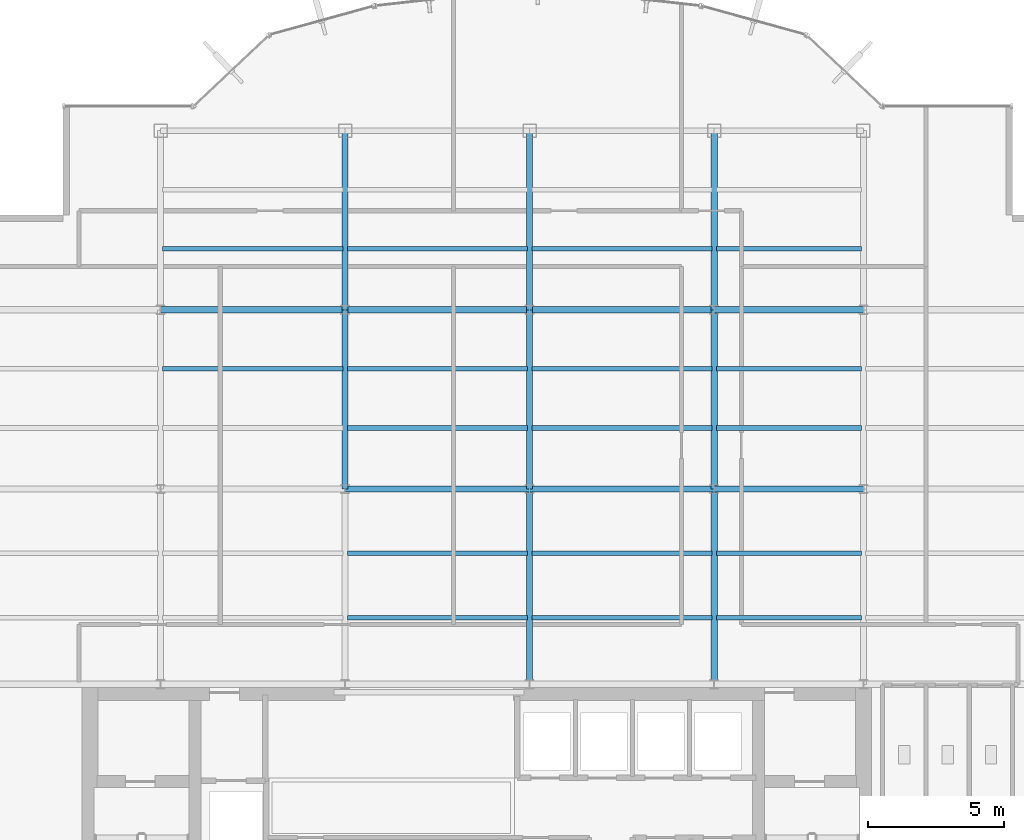
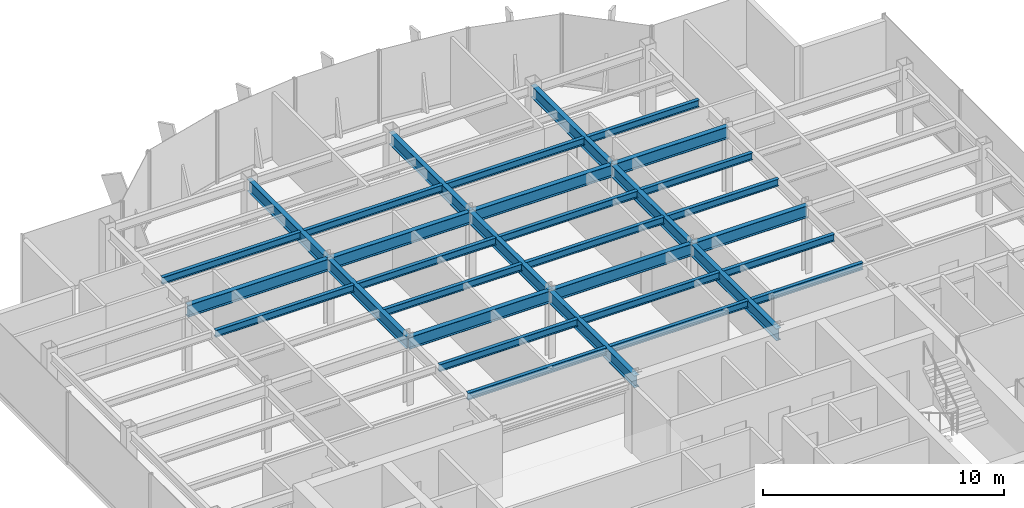
# One storey, part 8 of 22: 32 beams.
"""IFC4 building model written with IfcOpenShell, lengths in metres."""

from ifc_helpers import new_model, si_unit, derived_unit, direction, frame, origin, origin_2d, place, context, subcontext, project, spatial, i_section, extrude, source, transform, mapped, material, material_profile, profile_set, type_object, element, save


model = new_model("IFC4")

# Units and contexts
model_context = context("Model", 3, precision=1e-05, world=origin(), true_north=direction((0.0, 1.0)))
body_context = subcontext(model_context, "Body", "Model", "MODEL_VIEW")
ifc_project = project(units=[si_unit("LENGTHUNIT", "METRE"), si_unit("AREAUNIT", "SQUARE_METRE"), si_unit("VOLUMEUNIT", "CUBIC_METRE"), si_unit("PLANEANGLEUNIT", "RADIAN"), si_unit("MASSUNIT", "GRAM", prefix="KILO"), derived_unit("THERMALTRANSMITTANCEUNIT", [(si_unit("POWERUNIT", "WATT"), 1), (si_unit("LENGTHUNIT", "METRE"), -2), (si_unit("THERMODYNAMICTEMPERATUREUNIT", "KELVIN"), -1)])], contexts=[model_context])

# Site, building, storey
site_placement = place(None, origin())
site = spatial("IfcSite", under=ifc_project, at=site_placement, CompositionType="ELEMENT")
building_placement = place(site_placement, origin())
building = spatial("IfcBuilding", under=site, at=building_placement, Name="Skarnbrae Concourse Arena and Tower", CompositionType="ELEMENT")
storey_placement = place(building_placement, frame((0.0, 0.0, 225.10009765625)))
storey = spatial("IfcBuildingStorey", under=building, at=storey_placement, Name="L58", CompositionType="ELEMENT", Elevation=225.10009765625)

# Beams
ifc_material = material(Name="Steel CSA G40.21 350W", Category="steel")
ifc_material_profile_1 = material_profile(ifc_material, i_section(OverallWidth=0.22802734375, OverallDepth=0.60791015625, WebThickness=0.01123046875, FlangeThickness=0.017333984375, at=origin_2d()), Name="W610X113")
ifc_profile_set_1 = profile_set([ifc_material_profile_1], Name="Steel CSA G40.21 350W")
beam_type_1 = type_object("IfcBeamType", Name="BM-GIRD-W610X113", PredefinedType="BEAM", material=ifc_profile_set_1)
shared_shape_1 = source(origin(), body_context, "Body", "SweptSolid", [
    extrude(i_section(OverallWidth=0.22802734375, OverallDepth=0.60791015625, WebThickness=0.01123046875, FlangeThickness=0.017333984375, at=origin_2d()), origin(), (0.0, 0.0, 1.0), 6.60009765625),
])
for number, where, z_axis, x_axis, name in (
    (1, (14.39990234375, 21.199951171875, 3.095947265625), (0.0, 1.0, 0.0), (-1.0, 0.0, 0.0), "L58 Primary N-S girder X14.4-2"),
    (2, (21.199951171875, 21.199951171875, 3.095947265625), (0.0, 1.0, 0.0), (-1.0, 0.0, 0.0), "L58 Primary N-S girder X21.2-2"),
    (3, (28.0, 21.199951171875, 3.095947265625), (0.0, 1.0, 0.0), (-1.0, 0.0, 0.0), "L58 Primary N-S girder X28.0-2"),
):
    element("IfcBeam", number, at=place(storey_placement, frame(where, z_axis=z_axis, x_axis=x_axis)), inside=storey, type_object=beam_type_1, Name=name, PredefinedType="BEAM", context=body_context, shape_type="MappedRepresentation", body=[
        mapped(shared_shape_1, transform((0.0, 0.0, 0.0))),
    ])
shared_shape_2 = source(origin(), body_context, "Body", "SweptSolid", [
    extrude(i_section(OverallWidth=0.22802734375, OverallDepth=0.60791015625, WebThickness=0.01123046875, FlangeThickness=0.017333984375, at=origin_2d()), origin(), (0.0, 0.0, 1.0), 6.7998046875),
])
beam_placement = place(storey_placement, frame((7.60009765625, 27.800048828125, 3.095947265625), z_axis=(1.0, 0.0, 0.0), x_axis=(0.0, 1.0, 0.0)))
element("IfcBeam", 4, at=beam_placement, inside=storey, type_object=beam_type_1, Name="L58 Primary E-W girder Y27.8-2", PredefinedType="BEAM", context=body_context, shape_type="MappedRepresentation", body=[
    mapped(shared_shape_2, transform((0.0, 0.0, 0.0))),
])
shared_shape_3 = source(origin(), body_context, "Body", "SweptSolid", [
    extrude(i_section(OverallWidth=0.22802734375, OverallDepth=0.60791015625, WebThickness=0.01123046875, FlangeThickness=0.017333984375, at=origin_2d()), origin(), (0.0, 0.0, 1.0), 6.800048828125),
])
for number, where, z_axis, x_axis, name in (
    (5, (14.39990234375, 21.199951171875, 3.095947265625), (1.0, 0.0, 0.0), (0.0, 1.0, 0.0), "L58 Primary E-W girder Y21.2-3"),
    (6, (21.199951171875, 21.199951171875, 3.095947265625), (1.0, 0.0, 0.0), (0.0, 1.0, 0.0), "L58 Primary E-W girder Y21.2-4"),
    (7, (14.39990234375, 27.800048828125, 3.095947265625), (1.0, 0.0, 0.0), (0.0, 1.0, 0.0), "L58 Primary E-W girder Y27.8-3"),
    (8, (21.199951171875, 27.800048828125, 3.095947265625), (1.0, 0.0, 0.0), (0.0, 1.0, 0.0), "L58 Primary E-W girder Y27.8-4"),
):
    element("IfcBeam", number, at=place(storey_placement, frame(where, z_axis=z_axis, x_axis=x_axis)), inside=storey, type_object=beam_type_1, Name=name, PredefinedType="BEAM", context=body_context, shape_type="MappedRepresentation", body=[
        mapped(shared_shape_3, transform((0.0, 0.0, 0.0))),
    ])
shared_shape_4 = source(origin(), body_context, "Body", "SweptSolid", [
    extrude(i_section(OverallWidth=0.22802734375, OverallDepth=0.60791015625, WebThickness=0.01123046875, FlangeThickness=0.017333984375, at=origin_2d()), origin(), (0.0, 0.0, 1.0), 5.5),
])
for number, where, z_axis, x_axis, name in (
    (9, (28.0, 21.199951171875, 3.095947265625), (1.0, 0.0, 0.0), (0.0, 1.0, 0.0), "L58 Primary E-W girder Y21.2-5"),
    (10, (28.0, 27.800048828125, 3.095947265625), (1.0, 0.0, 0.0), (0.0, 1.0, 0.0), "L58 Primary E-W girder Y27.8-5"),
):
    element("IfcBeam", number, at=place(storey_placement, frame(where, z_axis=z_axis, x_axis=x_axis)), inside=storey, type_object=beam_type_1, Name=name, PredefinedType="BEAM", context=body_context, shape_type="MappedRepresentation", body=[
        mapped(shared_shape_4, transform((0.0, 0.0, 0.0))),
    ])
shared_shape_5 = source(origin(), body_context, "Body", "SweptSolid", [
    extrude(i_section(OverallWidth=0.22802734375, OverallDepth=0.60791015625, WebThickness=0.01123046875, FlangeThickness=0.017333984375, at=origin_2d()), origin(), (0.0, 0.0, 1.0), 7.199951171875),
])
for number, where, z_axis, x_axis, name in (
    (11, (21.199951171875, 14.0, 3.095947265625), (0.0, 1.0, 0.0), (-1.0, 0.0, 0.0), "L58 Primary N-S girder X21.2-1"),
    (12, (28.0, 14.0, 3.095947265625), (0.0, 1.0, 0.0), (-1.0, 0.0, 0.0), "L58 Primary N-S girder X28.0-1"),
):
    element("IfcBeam", number, at=place(storey_placement, frame(where, z_axis=z_axis, x_axis=x_axis)), inside=storey, type_object=beam_type_1, Name=name, PredefinedType="BEAM", context=body_context, shape_type="MappedRepresentation", body=[
        mapped(shared_shape_5, transform((0.0, 0.0, 0.0))),
    ])
shared_shape_6 = source(origin(), body_context, "Body", "SweptSolid", [
    extrude(i_section(OverallWidth=0.22802734375, OverallDepth=0.60791015625, WebThickness=0.01123046875, FlangeThickness=0.017333984375, at=origin_2d()), origin(), (0.0, 0.0, 1.0), 6.599853515625),
])
for number, where, z_axis, x_axis, name in (
    (13, (14.39990234375, 27.800048828125, 3.095947265625), (0.0, 1.0, 0.0), (-1.0, 0.0, 0.0), "L58 Primary N-S girder X14.4-3"),
    (14, (21.199951171875, 27.800048828125, 3.095947265625), (0.0, 1.0, 0.0), (-1.0, 0.0, 0.0), "L58 Primary N-S girder X21.2-3"),
    (15, (28.0, 27.800048828125, 3.095947265625), (0.0, 1.0, 0.0), (-1.0, 0.0, 0.0), "L58 Primary N-S girder X28.0-3"),
):
    element("IfcBeam", number, at=place(storey_placement, frame(where, z_axis=z_axis, x_axis=x_axis)), inside=storey, type_object=beam_type_1, Name=name, PredefinedType="BEAM", context=body_context, shape_type="MappedRepresentation", body=[
        mapped(shared_shape_6, transform((0.0, 0.0, 0.0))),
    ])
ifc_material_profile_2 = material_profile(ifc_material, i_section(OverallWidth=0.1708984375, OverallDepth=0.35498046875, WebThickness=0.007080078125, FlangeThickness=0.01171875, at=origin_2d()), Name="W360X51")
ifc_profile_set_2 = profile_set([ifc_material_profile_2], Name="Steel CSA G40.21 350W")
beam_type_2 = type_object("IfcBeamType", Name="BM-JOIST-W360X51", PredefinedType="JOIST", material=ifc_profile_set_2)
shared_shape_7 = source(origin(), body_context, "Body", "SweptSolid", [
    extrude(i_section(OverallWidth=0.1708984375, OverallDepth=0.35498046875, WebThickness=0.007080078125, FlangeThickness=0.01171875, at=origin_2d()), origin(), (0.0, 0.0, 1.0), 6.64013671875),
])
for number, where, z_axis, x_axis, name in (
    (16, (14.47998046875, 16.447998046875, 3.222412109375), (1.0, 0.0, 0.0), (0.0, 1.0, 0.0), "L58 Secondary floor joist 1.1.3"),
    (17, (14.47998046875, 18.823974609375, 3.222412109375), (1.0, 0.0, 0.0), (0.0, 1.0, 0.0), "L58 Secondary floor joist 1.2.3"),
    (18, (14.47998046875, 23.444091796875, 3.222412109375), (1.0, 0.0, 0.0), (0.0, 1.0, 0.0), "L58 Secondary floor joist 2.1.3"),
    (19, (7.679931640625, 25.6220703125, 3.222412109375), (1.0, 0.0, 0.0), (0.0, 1.0, 0.0), "L58 Secondary floor joist 2.2.2"),
    (20, (14.47998046875, 25.6220703125, 3.222412109375), (1.0, 0.0, 0.0), (0.0, 1.0, 0.0), "L58 Secondary floor joist 2.2.3"),
    (21, (7.679931640625, 30.0439453125, 3.222412109375), (1.0, 0.0, 0.0), (0.0, 1.0, 0.0), "L58 Secondary floor joist 3.1.1"),
    (22, (14.47998046875, 30.0439453125, 3.222412109375), (1.0, 0.0, 0.0), (0.0, 1.0, 0.0), "L58 Secondary floor joist 3.1.2"),
):
    element("IfcBeam", number, at=place(storey_placement, frame(where, z_axis=z_axis, x_axis=x_axis)), inside=storey, type_object=beam_type_2, Name=name, PredefinedType="JOIST", context=body_context, shape_type="MappedRepresentation", body=[
        mapped(shared_shape_7, transform((0.0, 0.0, 0.0))),
    ])
shared_shape_8 = source(origin(), body_context, "Body", "SweptSolid", [
    extrude(i_section(OverallWidth=0.1708984375, OverallDepth=0.35498046875, WebThickness=0.007080078125, FlangeThickness=0.01171875, at=origin_2d()), origin(), (0.0, 0.0, 1.0), 6.639892578125),
])
for number, where, z_axis, x_axis, name in (
    (23, (21.280029296875, 16.447998046875, 3.222412109375), (1.0, 0.0, 0.0), (0.0, 1.0, 0.0), "L58 Secondary floor joist 1.1.4"),
    (24, (21.280029296875, 18.823974609375, 3.222412109375), (1.0, 0.0, 0.0), (0.0, 1.0, 0.0), "L58 Secondary floor joist 1.2.4"),
    (25, (21.280029296875, 23.444091796875, 3.222412109375), (1.0, 0.0, 0.0), (0.0, 1.0, 0.0), "L58 Secondary floor joist 2.1.4"),
    (26, (21.280029296875, 25.6220703125, 3.222412109375), (1.0, 0.0, 0.0), (0.0, 1.0, 0.0), "L58 Secondary floor joist 2.2.4"),
    (27, (21.280029296875, 30.0439453125, 3.222412109375), (1.0, 0.0, 0.0), (0.0, 1.0, 0.0), "L58 Secondary floor joist 3.1.3"),
):
    element("IfcBeam", number, at=place(storey_placement, frame(where, z_axis=z_axis, x_axis=x_axis)), inside=storey, type_object=beam_type_2, Name=name, PredefinedType="JOIST", context=body_context, shape_type="MappedRepresentation", body=[
        mapped(shared_shape_8, transform((0.0, 0.0, 0.0))),
    ])
shared_shape_9 = source(origin(), body_context, "Body", "SweptSolid", [
    extrude(i_section(OverallWidth=0.1708984375, OverallDepth=0.35498046875, WebThickness=0.007080078125, FlangeThickness=0.01171875, at=origin_2d()), origin(), (0.0, 0.0, 1.0), 5.33984375),
])
for number, where, z_axis, x_axis, name in (
    (28, (28.080078125, 16.447998046875, 3.222412109375), (1.0, 0.0, 0.0), (0.0, 1.0, 0.0), "L58 Secondary floor joist 1.1.5"),
    (29, (28.080078125, 18.823974609375, 3.222412109375), (1.0, 0.0, 0.0), (0.0, 1.0, 0.0), "L58 Secondary floor joist 1.2.5"),
    (30, (28.080078125, 23.444091796875, 3.222412109375), (1.0, 0.0, 0.0), (0.0, 1.0, 0.0), "L58 Secondary floor joist 2.1.5"),
    (31, (28.080078125, 25.6220703125, 3.222412109375), (1.0, 0.0, 0.0), (0.0, 1.0, 0.0), "L58 Secondary floor joist 2.2.5"),
    (32, (28.080078125, 30.0439453125, 3.222412109375), (1.0, 0.0, 0.0), (0.0, 1.0, 0.0), "L58 Secondary floor joist 3.1.4"),
):
    element("IfcBeam", number, at=place(storey_placement, frame(where, z_axis=z_axis, x_axis=x_axis)), inside=storey, type_object=beam_type_2, Name=name, PredefinedType="JOIST", context=body_context, shape_type="MappedRepresentation", body=[
        mapped(shared_shape_9, transform((0.0, 0.0, 0.0))),
    ])

save(model, "model.ifc")
